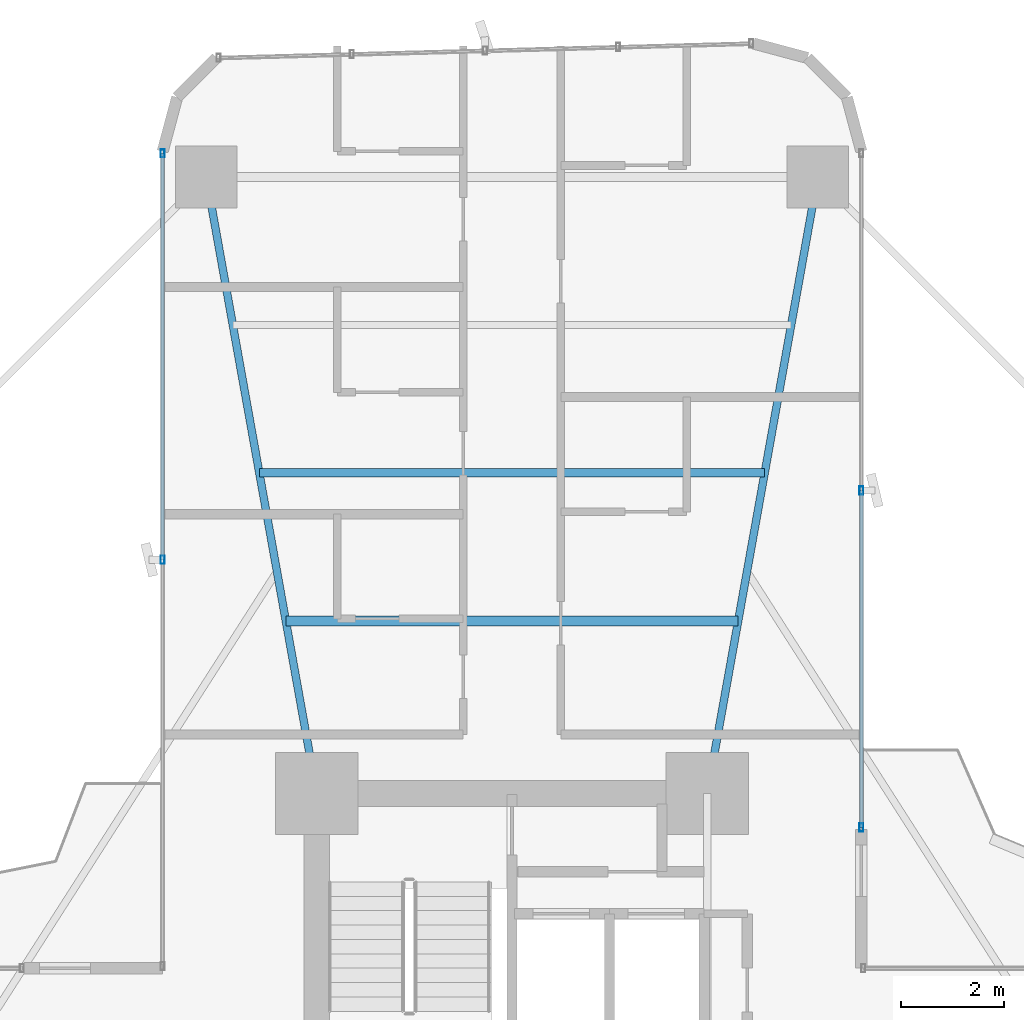
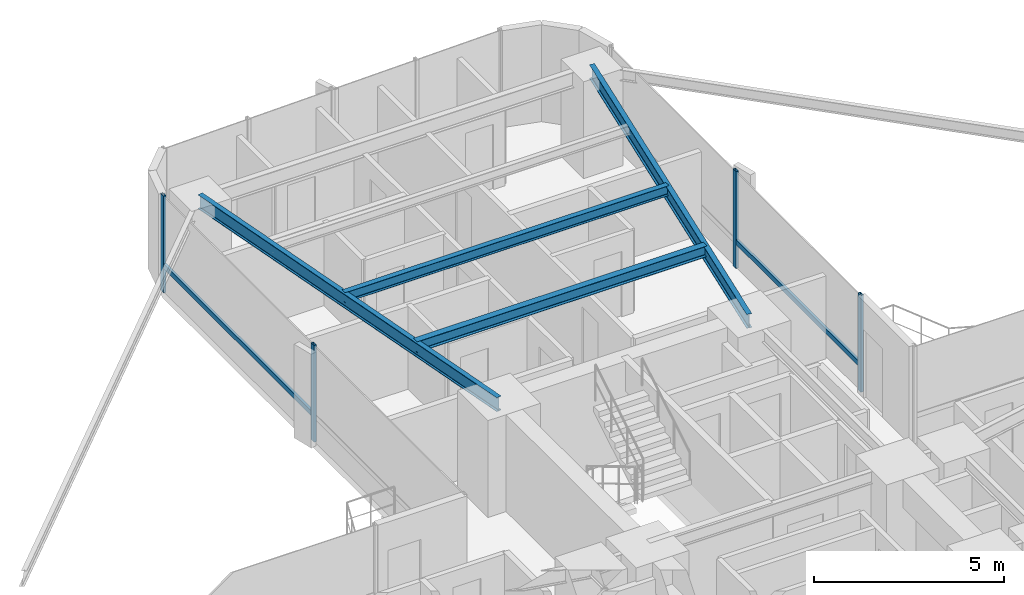
# One storey, part 18 of 25: 6 members, 4 beams, 2 elements without a shape of their own.
"""IFC4 building model written with IfcOpenShell, lengths in metres."""

from ifc_helpers import new_model, si_unit, direction, frame, origin, origin_2d, place, context, subcontext, project, spatial, hollow_rectangle, i_section, extrude, source, transform, mapped, material, material_profile, profile_set, type_object, element, aggregate, save


model = new_model("IFC4")

# Units and contexts
model_context = context("Model", 3, precision=1e-05, world=origin(), true_north=direction((0.0, 1.0)))
body_context = subcontext(model_context, "Body", "Model", "MODEL_VIEW")
ifc_project = project(units=[si_unit("LENGTHUNIT", "METRE"), si_unit("AREAUNIT", "SQUARE_METRE"), si_unit("VOLUMEUNIT", "CUBIC_METRE"), si_unit("PLANEANGLEUNIT", "RADIAN"), si_unit("MASSUNIT", "GRAM", prefix="KILO")], contexts=[model_context])

# Site, building, storey
site_placement = place(None, origin())
site = spatial("IfcSite", under=ifc_project, at=site_placement, CompositionType="ELEMENT")
building_placement = place(site_placement, origin())
building = spatial("IfcBuilding", under=site, at=building_placement, Name="Sahyath Konkavel Grand Hotel", CompositionType="ELEMENT")
storey_placement = place(building_placement, frame((0.0, 0.0, 36.5)))
storey = spatial("IfcBuildingStorey", under=building, at=storey_placement, Name="L09", CompositionType="ELEMENT", Elevation=36.5)

# Beams
ifc_material_1 = material(Name="Steel E350", Category="steel")
ifc_material_profile_1 = material_profile(ifc_material_1, i_section(OverallWidth=0.14990234375, OverallDepth=0.449951171875, WebThickness=0.009521484375, FlangeThickness=0.017333984375, FilletRadius=0.014892578125, at=origin_2d()), Name="ISMB 450")
ifc_profile_set_1 = profile_set([ifc_material_profile_1], Name="Steel E350")
beam_type_1 = type_object("IfcBeamType", Name="BM-ISMB450", PredefinedType="BEAM", material=ifc_profile_set_1)
shared_shape_1 = source(origin(), body_context, "Body", "SweptSolid", [
    extrude(i_section(OverallWidth=0.14990234375, OverallDepth=0.449951171875, WebThickness=0.009521484375, FlangeThickness=0.017333984375, FilletRadius=0.014892578125, at=origin_2d()), origin(), (0.0, 0.0, 1.0), 12.191162109375),
])
for number, where, z_axis, x_axis, name in (
    (1, (3.800048828125, 10.199951171875, 2.885009765625), (0.176350650305, 0.984327409014, 0.0), (-0.984327409014, 0.176350650305, 0.0), "L09 Cruciform Radial Girder NA"),
    (2, (-3.800048828125, 10.199951171875, 2.885009765625), (-0.176350650305, 0.984327409014, 0.0), (-0.984327409014, -0.176350650305, 0.0), "L09 Cruciform Radial Girder NB"),
):
    element("IfcBeam", number, at=place(storey_placement, frame(where, z_axis=z_axis, x_axis=x_axis)), inside=storey, type_object=beam_type_1, Name=name, PredefinedType="BEAM", context=body_context, shape_type="MappedRepresentation", body=[
        mapped(shared_shape_1, transform((0.0, 0.0, 0.0), scale=1.0)),
    ])
ifc_material_profile_2 = material_profile(ifc_material_1, i_section(OverallWidth=0.199951171875, OverallDepth=0.35009765625, WebThickness=0.008056640625, FlangeThickness=0.011474609375, FilletRadius=0.013916015625, at=origin_2d()), Name="ISWB 350")
ifc_profile_set_2 = profile_set([ifc_material_profile_2], Name="Steel E350")
beam_type_2 = type_object("IfcBeamType", Name="BM-ISWB350", PredefinedType="BEAM", material=ifc_profile_set_2)
shared_shape_2 = source(origin(), body_context, "Body", "SweptSolid", [
    extrude(i_section(OverallWidth=0.199951171875, OverallDepth=0.35009765625, WebThickness=0.008056640625, FlangeThickness=0.011474609375, FilletRadius=0.013916015625, at=origin_2d()), origin(), (0.0, 0.0, 1.0), 8.80419921875),
])
beam_1_placement = place(storey_placement, frame((4.402099609375, 13.56005859375, 2.93505859375), z_axis=(-1.0, 0.0, 0.0), x_axis=(0.0, -1.0, 0.0)))
element("IfcBeam", 3, at=beam_1_placement, inside=storey, type_object=beam_type_2, Name="L09 Secondary Floor Beam N-1", PredefinedType="BEAM", context=body_context, shape_type="MappedRepresentation", body=[
    mapped(shared_shape_2, transform((0.0, 0.0, 0.0), scale=1.0)),
])
ifc_material_profile_3 = material_profile(ifc_material_1, i_section(OverallWidth=0.1650390625, OverallDepth=0.324951171875, WebThickness=0.007080078125, FlangeThickness=0.009765625, FilletRadius=0.014892578125, at=origin_2d()), Name="ISLB 325")
ifc_profile_set_3 = profile_set([ifc_material_profile_3], Name="Steel E350")
beam_type_3 = type_object("IfcBeamType", Name="BM-ISLB325", PredefinedType="BEAM", material=ifc_profile_set_3)
shared_shape_3 = source(origin(), body_context, "Body", "SweptSolid", [
    extrude(i_section(OverallWidth=0.1650390625, OverallDepth=0.324951171875, WebThickness=0.007080078125, FlangeThickness=0.009765625, FilletRadius=0.014892578125, at=origin_2d()), origin(), (0.0, 0.0, 1.0), 9.8359375),
])
beam_2_placement = place(storey_placement, frame((4.91796875, 16.43994140625, 2.947509765625), z_axis=(-1.0, 0.0, 0.0), x_axis=(0.0, -1.0, 0.0)))
element("IfcBeam", 4, at=beam_2_placement, inside=storey, type_object=beam_type_3, Name="L09 Secondary Floor Beam N-2", PredefinedType="BEAM", context=body_context, shape_type="MappedRepresentation", body=[
    mapped(shared_shape_3, transform((0.0, 0.0, 0.0), scale=1.0)),
])

# Curtain wall, member
ifc_material_2 = material(Name="Anodised Bronze Aluminium & Low-E Glazing", Category="aluminium")
curtain_wall_type = type_object("IfcCurtainWallType", Name="CW-ZONE1", PredefinedType="NOTDEFINED", material=ifc_material_2)
curtain_wall_1_placement = place(storey_placement, origin())
curtain_wall_1 = element("IfcCurtainWall", 5, at=curtain_wall_1_placement, inside=storey, type_object=curtain_wall_type, Name="L09 Unitised Curtain Wall F15", PredefinedType="NOTDEFINED")
ifc_material_3 = material(Name="Anodised Bronze Aluminium", Category="aluminium")
ifc_material_profile_4 = material_profile(ifc_material_3, hollow_rectangle(XDim=0.080078125, YDim=0.159912109375, WallThickness=0.006103515625, at=origin_2d()), Name="RHS 160x80x6")
ifc_profile_set_4 = profile_set([ifc_material_profile_4], Name="Anodised Bronze Aluminium")
member_type_1 = type_object("IfcMemberType", Name="CW-TRN-160", PredefinedType="USERDEFINED", material=ifc_profile_set_4)
shared_shape_4 = source(origin(), body_context, "Body", "SweptSolid", [
    extrude(hollow_rectangle(XDim=0.080078125, YDim=0.159912109375, WallThickness=0.006103515625, at=origin_2d()), origin(), (0.0, 0.0, 1.0), 7.909912109375),
])
member_1_placement = place(storey_placement, frame((-6.800048828125, 22.659912109375, 0.85009765625), z_axis=(0.0, -1.0, 0.0), x_axis=(1.0, 0.0, 0.0)))
member_1 = element("IfcMember", 6, at=member_1_placement, type_object=member_type_1, Name="L09 Curtain Wall Transom F15-0-spandrel", ObjectType="TRANSOM", PredefinedType="USERDEFINED", context=body_context, shape_type="MappedRepresentation", body=[
    mapped(shared_shape_4, transform((0.0, 0.0, 0.0), scale=1.0)),
])

# Curtain wall, members
curtain_wall_2_placement = place(storey_placement, origin())
curtain_wall_2 = element("IfcCurtainWall", 7, at=curtain_wall_2_placement, inside=storey, type_object=curtain_wall_type, Name="L09 Unitised Curtain Wall F8", PredefinedType="NOTDEFINED")
ifc_material_profile_5 = material_profile(ifc_material_3, hollow_rectangle(XDim=0.080078125, YDim=0.159912109375, WallThickness=0.006103515625, at=origin_2d()), Name="RHS 160x80x6")
ifc_profile_set_5 = profile_set([ifc_material_profile_5], Name="Anodised Bronze Aluminium")
member_type_2 = type_object("IfcMemberType", Name="CW-MUL-160", PredefinedType="MULLION", material=ifc_profile_set_5)
shared_shape_5 = source(origin(), body_context, "Body", "SweptSolid", [
    extrude(hollow_rectangle(XDim=0.080078125, YDim=0.159912109375, WallThickness=0.006103515625, at=origin_2d()), origin(), (0.0, 0.0, 1.0), 3.110107421875),
])
member_2_placement = place(storey_placement, frame((6.800048828125, 9.5400390625, 0.0), z_axis=(0.0, 0.0, 1.0), x_axis=(1.0, 0.0, 0.0)))
member_2 = element("IfcMember", 8, at=member_2_placement, type_object=member_type_2, Name="L09 Curtain Wall Mullion F8-0", PredefinedType="MULLION", context=body_context, shape_type="MappedRepresentation", body=[
    mapped(shared_shape_5, transform((0.0, 0.0, 0.0), scale=1.0)),
])
member_3_placement = place(storey_placement, frame((6.800048828125, 16.10009765625, 0.0), z_axis=(0.0, 0.0, 1.0), x_axis=(1.0, 0.0, 0.0)))
member_3 = element("IfcMember", 9, at=member_3_placement, type_object=member_type_2, Name="L09 Curtain Wall Mullion F8-1", PredefinedType="MULLION", context=body_context, shape_type="MappedRepresentation", body=[
    mapped(shared_shape_5, transform((0.0, 0.0, 0.0), scale=1.0)),
])

# Member
member_4_placement = place(storey_placement, frame((-6.800048828125, 22.659912109375, 0.0), z_axis=(0.0, 0.0, 1.0), x_axis=(1.0, 0.0, 0.0)))
member_4 = element("IfcMember", 10, at=member_4_placement, type_object=member_type_2, Name="L09 Curtain Wall Mullion F15-0", PredefinedType="MULLION", context=body_context, shape_type="MappedRepresentation", body=[
    mapped(shared_shape_5, transform((0.0, 0.0, 0.0), scale=1.0)),
])

member_5_placement = place(storey_placement, frame((-6.800048828125, 14.75, 0.0), z_axis=(0.0, 0.0, 1.0), x_axis=(1.0, 0.0, 0.0)))
member_5 = element("IfcMember", 11, at=member_5_placement, type_object=member_type_2, Name="L09 Curtain Wall Mullion F15-1", PredefinedType="MULLION", context=body_context, shape_type="MappedRepresentation", body=[
    mapped(shared_shape_5, transform((0.0, 0.0, 0.0), scale=1.0)),
])

aggregate(curtain_wall_1, [member_4, member_5, member_1])

shared_shape_6 = source(origin(), body_context, "Body", "SweptSolid", [
    extrude(hollow_rectangle(XDim=0.080078125, YDim=0.159912109375, WallThickness=0.006103515625, at=origin_2d()), origin(), (0.0, 0.0, 1.0), 6.56005859375),
])
member_6_placement = place(storey_placement, frame((6.800048828125, 9.5400390625, 0.85009765625), z_axis=(0.0, 1.0, 0.0), x_axis=(-1.0, 0.0, 0.0)))
member_6 = element("IfcMember", 12, at=member_6_placement, type_object=member_type_1, Name="L09 Curtain Wall Transom F8-0-spandrel", ObjectType="TRANSOM", PredefinedType="USERDEFINED", context=body_context, shape_type="MappedRepresentation", body=[
    mapped(shared_shape_6, transform((0.0, 0.0, 0.0), scale=1.0)),
])

aggregate(curtain_wall_2, [member_2, member_3, member_6])

save(model, "model.ifc")
